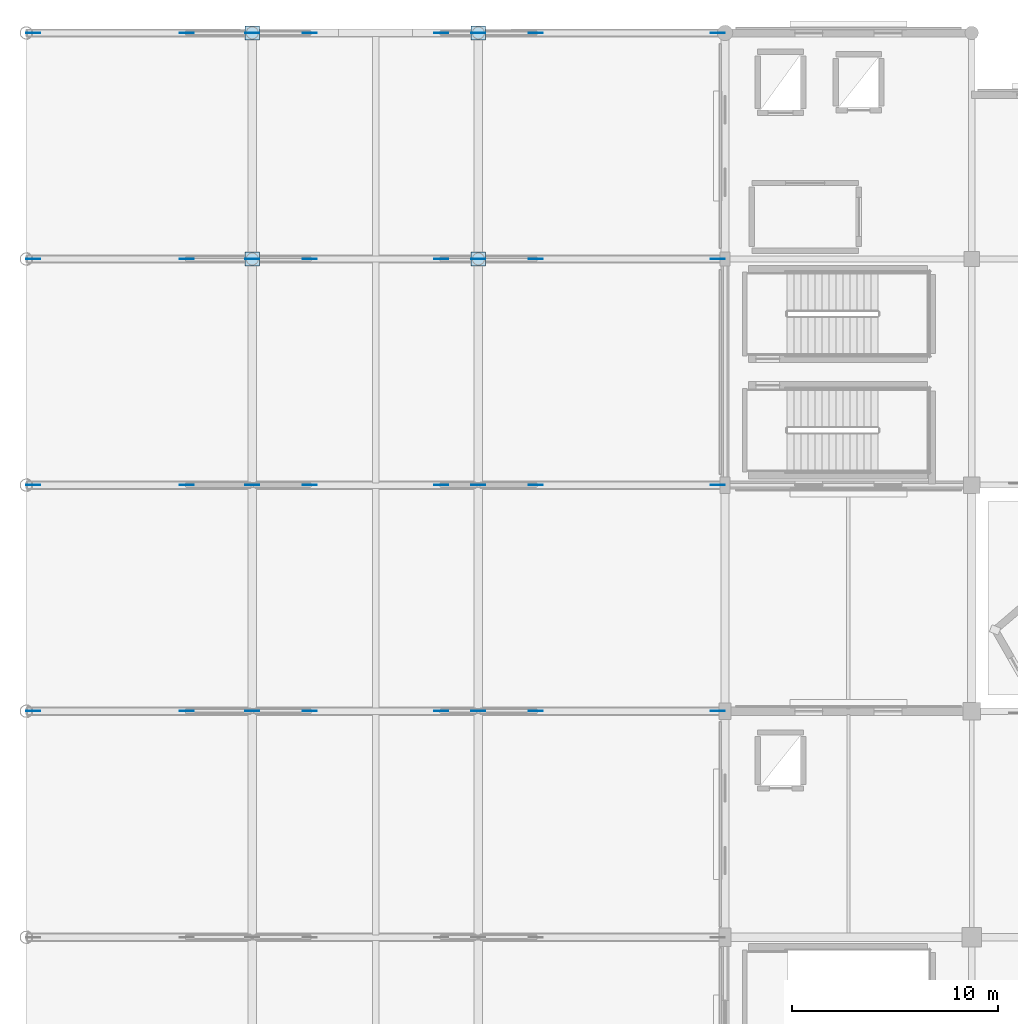
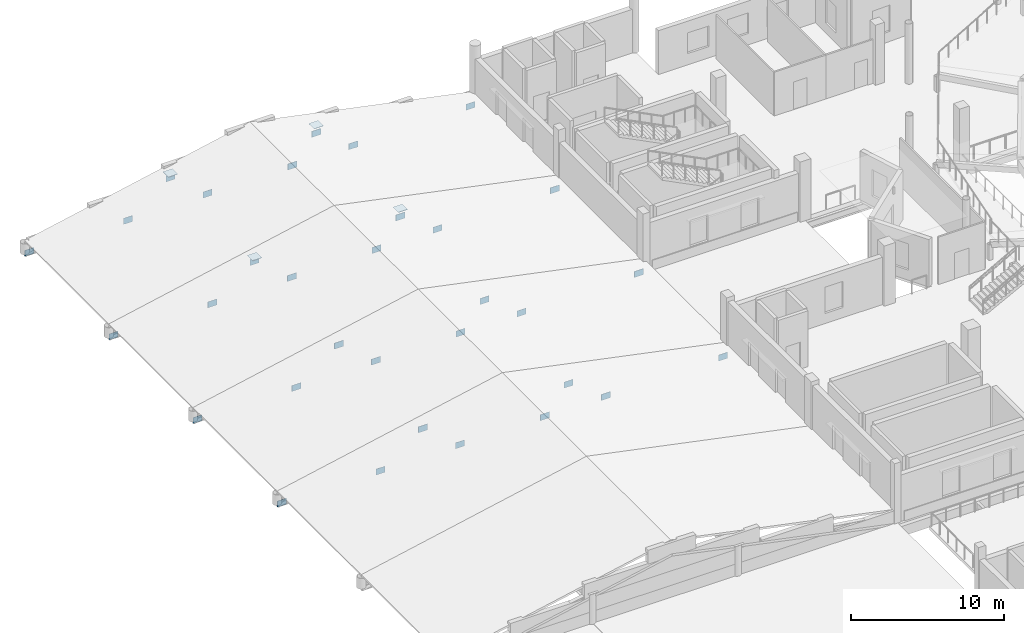
# One storey, part 43 of 77: 36 plates.
"""IFC4 building model written with IfcOpenShell, lengths in metres."""

from ifc_helpers import new_model, si_unit, direction, frame, origin, origin_2d, place, context, subcontext, project, spatial, rectangle, extrude, material, layer, layer_set, type_object, element, save


model = new_model("IFC4")

# Units and contexts
model_context = context("Model", 3, precision=1e-05, world=origin(), true_north=direction((0.0, 1.0)))
body_context = subcontext(model_context, "Body", "Model", "MODEL_VIEW")
ifc_project = project(units=[si_unit("LENGTHUNIT", "METRE"), si_unit("AREAUNIT", "SQUARE_METRE"), si_unit("VOLUMEUNIT", "CUBIC_METRE"), si_unit("PLANEANGLEUNIT", "RADIAN"), si_unit("MASSUNIT", "GRAM", prefix="KILO")], contexts=[model_context])

# Site, building, storey
site_placement = place(None, origin())
site = spatial("IfcSite", under=ifc_project, at=site_placement, CompositionType="ELEMENT")
building_placement = place(site_placement, origin())
building = spatial("IfcBuilding", under=site, at=building_placement, Name="Luwafu Chhajja Arena", CompositionType="ELEMENT")
storey_placement = place(building_placement, frame((0.0, 0.0, 14.699951171875)))
storey = spatial("IfcBuildingStorey", under=building, at=storey_placement, Name="L03", CompositionType="ELEMENT", Elevation=14.699951171875)

# Plates
ifc_material = material(Name="Steel S355", Category="steel")
ifc_layer_1 = layer(ifc_material, 0.031982421875, Name="Steel S355")
ifc_layer_set_1 = layer_set([ifc_layer_1], Name="Steel S355")
plate_type_1 = type_object("IfcPlateType", Name="Atrium Column Base Plate BP-2", PredefinedType="USERDEFINED", material=ifc_layer_set_1)
for number, where, z_axis, x_axis, name in (
    (1, (11.0, 88.0, 2.4501953125), (0.0, 0.0, 1.0), (1.0, 0.0, 0.0), "Warm-Up Spine Column Cap Plate BP-2 G1/J"),
    (2, (22.0, 88.0, 2.4501953125), (0.0, 0.0, 1.0), (1.0, 0.0, 0.0), "Warm-Up Spine Column Cap Plate BP-2 G2/J"),
    (3, (11.0, 99.0, 2.4501953125), (0.0, 0.0, 1.0), (1.0, 0.0, 0.0), "Warm-Up Spine Column Cap Plate BP-2 G1/K"),
    (4, (22.0, 99.0, 2.4501953125), (0.0, 0.0, 1.0), (1.0, 0.0, 0.0), "Warm-Up Spine Column Cap Plate BP-2 G2/K"),
):
    element("IfcPlate", number, at=place(storey_placement, frame(where, z_axis=z_axis, x_axis=x_axis)), inside=storey, type_object=plate_type_1, Name=name, ObjectType="BASE PLATE", PredefinedType="USERDEFINED", context=body_context, shape_type="SweptSolid", body=[
        extrude(rectangle(XDim=0.699951171875, YDim=0.699951171875, at=origin_2d()), origin(), (0.0, 0.0, 1.0), 0.031982421875),
    ])
ifc_layer_2 = layer(ifc_material, 0.02587890625, Name="Steel S355")
ifc_layer_set_2 = layer_set([ifc_layer_2], Name="Steel S355")
plate_type_2 = type_object("IfcPlateType", Name="Warm-Up Truss Node Gusset Plate BN-2", PredefinedType="USERDEFINED", material=ifc_layer_set_2)
for number, where, z_axis, x_axis, name in (
    (5, (0.35009765625, 66.0, -0.33984375), (0.0, 0.0, 1.0), (1.0, 0.0, 0.0), "Warm-Up Truss Node Gusset BN-2 03-1"),
    (6, (7.800048828125, 66.0, -0.389892578125), (0.0, 0.0, 1.0), (1.0, 0.0, 0.0), "Warm-Up Truss Node Gusset BN-2 03-2"),
    (7, (11.0, 66.0, 1.8701171875), (0.0, 0.0, 1.0), (1.0, 0.0, 0.0), "Warm-Up Truss Node Gusset BN-2 03-3"),
    (8, (13.800048828125, 66.0, -0.389892578125), (0.0, 0.0, 1.0), (1.0, 0.0, 0.0), "Warm-Up Truss Node Gusset BN-2 03-4"),
    (9, (20.199951171875, 66.0, -0.389892578125), (0.0, 0.0, 1.0), (1.0, 0.0, 0.0), "Warm-Up Truss Node Gusset BN-2 03-5"),
    (10, (22.0, 66.0, 1.580078125), (0.0, 0.0, 1.0), (1.0, 0.0, 0.0), "Warm-Up Truss Node Gusset BN-2 03-6"),
    (11, (24.800048828125, 66.0, -0.389892578125), (0.0, 0.0, 1.0), (1.0, 0.0, 0.0), "Warm-Up Truss Node Gusset BN-2 03-7"),
    (12, (33.64990234375, 66.0, -0.33984375), (0.0, 0.0, 1.0), (1.0, 0.0, 0.0), "Warm-Up Truss Node Gusset BN-2 03-8"),
    (13, (0.35009765625, 77.0, -0.33984375), (0.0, 0.0, 1.0), (1.0, 0.0, 0.0), "Warm-Up Truss Node Gusset BN-2 04-1"),
    (14, (7.800048828125, 77.0, -0.389892578125), (0.0, 0.0, 1.0), (1.0, 0.0, 0.0), "Warm-Up Truss Node Gusset BN-2 04-2"),
    (15, (11.0, 77.0, 1.8701171875), (0.0, 0.0, 1.0), (1.0, 0.0, 0.0), "Warm-Up Truss Node Gusset BN-2 04-3"),
    (16, (13.800048828125, 77.0, -0.389892578125), (0.0, 0.0, 1.0), (1.0, 0.0, 0.0), "Warm-Up Truss Node Gusset BN-2 04-4"),
    (17, (20.199951171875, 77.0, -0.389892578125), (0.0, 0.0, 1.0), (1.0, 0.0, 0.0), "Warm-Up Truss Node Gusset BN-2 04-5"),
    (18, (22.0, 77.0, 1.580078125), (0.0, 0.0, 1.0), (1.0, 0.0, 0.0), "Warm-Up Truss Node Gusset BN-2 04-6"),
    (19, (24.800048828125, 77.0, -0.389892578125), (0.0, 0.0, 1.0), (1.0, 0.0, 0.0), "Warm-Up Truss Node Gusset BN-2 04-7"),
    (20, (33.64990234375, 77.0, -0.33984375), (0.0, 0.0, 1.0), (1.0, 0.0, 0.0), "Warm-Up Truss Node Gusset BN-2 04-8"),
    (21, (0.35009765625, 88.0, -0.33984375), (0.0, 0.0, 1.0), (1.0, 0.0, 0.0), "Warm-Up Truss Node Gusset BN-2 05-1"),
    (22, (7.800048828125, 88.0, -0.389892578125), (0.0, 0.0, 1.0), (1.0, 0.0, 0.0), "Warm-Up Truss Node Gusset BN-2 05-2"),
    (23, (11.0, 88.0, 1.8701171875), (0.0, 0.0, 1.0), (1.0, 0.0, 0.0), "Warm-Up Truss Node Gusset BN-2 05-3"),
    (24, (13.800048828125, 88.0, -0.389892578125), (0.0, 0.0, 1.0), (1.0, 0.0, 0.0), "Warm-Up Truss Node Gusset BN-2 05-4"),
    (25, (20.199951171875, 88.0, -0.389892578125), (0.0, 0.0, 1.0), (1.0, 0.0, 0.0), "Warm-Up Truss Node Gusset BN-2 05-5"),
    (26, (22.0, 88.0, 1.580078125), (0.0, 0.0, 1.0), (1.0, 0.0, 0.0), "Warm-Up Truss Node Gusset BN-2 05-6"),
    (27, (24.800048828125, 88.0, -0.389892578125), (0.0, 0.0, 1.0), (1.0, 0.0, 0.0), "Warm-Up Truss Node Gusset BN-2 05-7"),
    (28, (33.64990234375, 88.0, -0.33984375), (0.0, 0.0, 1.0), (1.0, 0.0, 0.0), "Warm-Up Truss Node Gusset BN-2 05-8"),
    (29, (0.35009765625, 99.0, -0.33984375), (0.0, 0.0, 1.0), (1.0, 0.0, 0.0), "Warm-Up Truss Node Gusset BN-2 06-1"),
    (30, (7.800048828125, 99.0, -0.389892578125), (0.0, 0.0, 1.0), (1.0, 0.0, 0.0), "Warm-Up Truss Node Gusset BN-2 06-2"),
    (31, (11.0, 99.0, 1.8701171875), (0.0, 0.0, 1.0), (1.0, 0.0, 0.0), "Warm-Up Truss Node Gusset BN-2 06-3"),
    (32, (13.800048828125, 99.0, -0.389892578125), (0.0, 0.0, 1.0), (1.0, 0.0, 0.0), "Warm-Up Truss Node Gusset BN-2 06-4"),
    (33, (20.199951171875, 99.0, -0.389892578125), (0.0, 0.0, 1.0), (1.0, 0.0, 0.0), "Warm-Up Truss Node Gusset BN-2 06-5"),
    (34, (22.0, 99.0, 1.580078125), (0.0, 0.0, 1.0), (1.0, 0.0, 0.0), "Warm-Up Truss Node Gusset BN-2 06-6"),
    (35, (24.800048828125, 99.0, -0.389892578125), (0.0, 0.0, 1.0), (1.0, 0.0, 0.0), "Warm-Up Truss Node Gusset BN-2 06-7"),
    (36, (33.64990234375, 99.0, -0.33984375), (0.0, 0.0, 1.0), (1.0, 0.0, 0.0), "Warm-Up Truss Node Gusset BN-2 06-8"),
):
    element("IfcPlate", number, at=place(storey_placement, frame(where, z_axis=z_axis, x_axis=x_axis)), inside=storey, type_object=plate_type_2, Name=name, ObjectType="GUSSET PLATE", PredefinedType="USERDEFINED", context=body_context, shape_type="SweptSolid", body=[
        extrude(rectangle(XDim=0.679931640625, YDim=0.02587890625, at=origin_2d()), origin(), (0.0, 0.0, 1.0), 0.47998046875),
    ])

save(model, "model.ifc")
